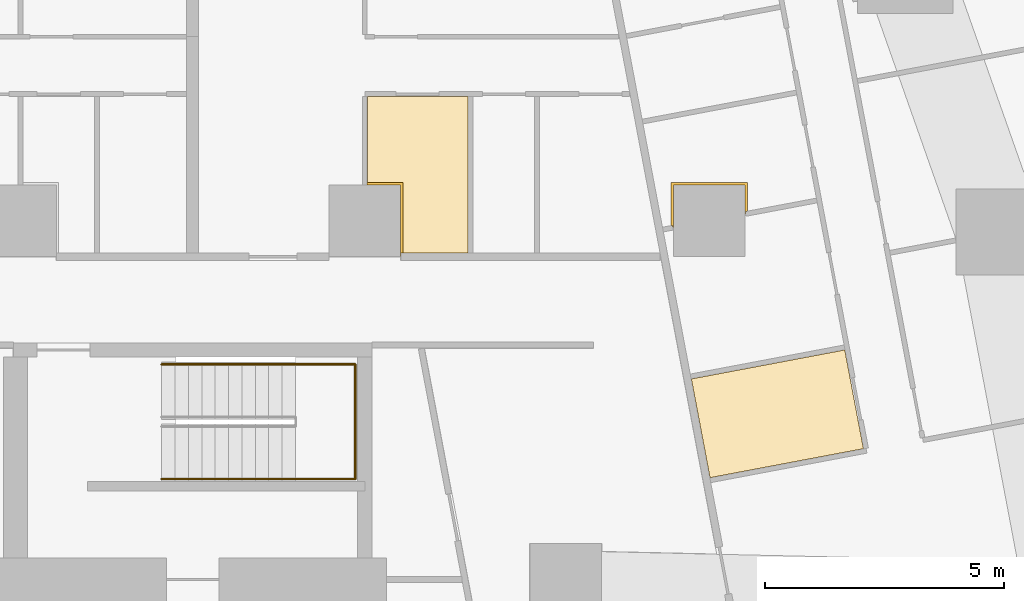
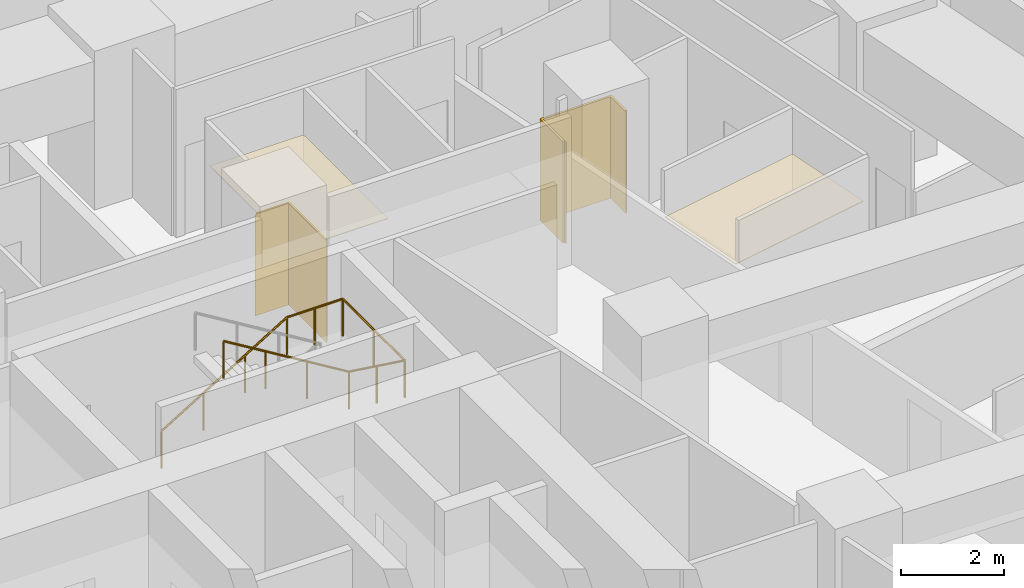
# One storey, part 15 of 15: 4 coverings, 1 railing.
"""IFC4 building model written with IfcOpenShell, lengths in metres."""

from ifc_helpers import new_model, si_unit, direction, frame, origin, origin_2d, place, context, subcontext, project, spatial, polyline, circle, outline, extrude, material, layer, layer_set, type_object, element, save


model = new_model("IFC4")

# Units and contexts
model_context = context("Model", 3, precision=1e-05, world=origin(), true_north=direction((0.0, 1.0)))
body_context = subcontext(model_context, "Body", "Model", "MODEL_VIEW")
ifc_project = project(units=[si_unit("LENGTHUNIT", "METRE"), si_unit("AREAUNIT", "SQUARE_METRE"), si_unit("VOLUMEUNIT", "CUBIC_METRE"), si_unit("PLANEANGLEUNIT", "RADIAN"), si_unit("MASSUNIT", "GRAM", prefix="KILO")], contexts=[model_context])

# Site, building, storey
site_placement = place(None, origin())
site = spatial("IfcSite", under=ifc_project, at=site_placement, CompositionType="ELEMENT")
building_placement = place(site_placement, origin())
building = spatial("IfcBuilding", under=site, at=building_placement, Name="Sheger Commons Tower", CompositionType="ELEMENT")
storey_placement = place(building_placement, frame((0.0, 0.0, 147.050048828125)))
storey = spatial("IfcBuildingStorey", under=building, at=storey_placement, Name="L37", CompositionType="ELEMENT", Elevation=147.050048828125)

# Railing
ifc_material_1 = material(Name="Steel handrail, black powder-coated", Category="steel")
railing_type = type_object("IfcRailingType", Name="HANDRAIL 900", PredefinedType="HANDRAIL", material=ifc_material_1)
railing_placement = place(storey_placement, frame((24.550048828125, 34.5, 0.17041015625)))
element("IfcRailing", 1, at=railing_placement, inside=storey, type_object=railing_type, Name="Stair S2 handrail L37", PredefinedType="HANDRAIL", context=body_context, shape_type="SweptSolid", body=[
    extrude(circle(Radius=0.02392578125, at=origin_2d()), frame((0.0, 0.0, 0.8759765625), z_axis=(0.854169791009, 0.0, 0.51999420009), x_axis=(0.0, 1.0, 0.0)), (0.0, 0.0, 1.0), 3.278076171875),
    extrude(circle(Radius=0.02392578125, at=origin_2d()), frame((2.800048828125, 0.0, 2.58056640625), z_axis=(1.0, 0.0, 0.0), x_axis=(0.0, 1.0, 0.0)), (0.0, 0.0, 1.0), 1.25),
    extrude(circle(Radius=0.02392578125, at=origin_2d()), frame((4.050048828125, 0.0, 2.58056640625), z_axis=(0.0, -1.0, 0.0), x_axis=(1.0, 0.0, 0.0)), (0.0, 0.0, 1.0), 2.39990234375),
    extrude(circle(Radius=0.02392578125, at=origin_2d()), frame((4.050048828125, -2.39990234375, 2.58056640625), z_axis=(-0.990834877927, 0.0, 0.135078661092), x_axis=(0.0, -1.0, 0.0)), (0.0, 0.0, 1.0), 1.261474609375),
    extrude(circle(Radius=0.02392578125, at=origin_2d()), frame((2.800048828125, -2.39990234375, 2.7509765625), z_axis=(-0.854169791009, 0.0, 0.51999420009), x_axis=(0.0, -1.0, 0.0)), (0.0, 0.0, 1.0), 3.278076171875),
    extrude(circle(Radius=0.02099609375, at=origin_2d()), origin(), (0.0, 0.0, 1.0), 0.851806640625),
    extrude(circle(Radius=0.02099609375, at=origin_2d()), frame((0.933349609375, 0.0, 0.568115234375)), (0.0, 0.0, 1.0), 0.851806640625),
    extrude(circle(Radius=0.02099609375, at=origin_2d()), frame((1.86669921875, 0.0, 1.136474609375)), (0.0, 0.0, 1.0), 0.851806640625),
    extrude(circle(Radius=0.02099609375, at=origin_2d()), frame((2.800048828125, 0.0, 1.70458984375)), (0.0, 0.0, 1.0), 0.851806640625),
    extrude(circle(Radius=0.02099609375, at=origin_2d()), frame((3.425048828125, 0.0, 1.70458984375)), (0.0, 0.0, 1.0), 0.851806640625),
    extrude(circle(Radius=0.02099609375, at=origin_2d()), frame((4.050048828125, 0.0, 1.70458984375)), (0.0, 0.0, 1.0), 0.851806640625),
    extrude(circle(Radius=0.02099609375, at=origin_2d()), frame((4.050048828125, -1.199951171875, 1.70458984375)), (0.0, 0.0, 1.0), 0.851806640625),
    extrude(circle(Radius=0.02099609375, at=origin_2d()), frame((4.050048828125, -2.39990234375, 1.70458984375)), (0.0, 0.0, 1.0), 0.851806640625),
    extrude(circle(Radius=0.02099609375, at=origin_2d()), frame((3.425048828125, -2.39990234375, 1.789794921875)), (0.0, 0.0, 1.0), 0.851806640625),
    extrude(circle(Radius=0.02099609375, at=origin_2d()), frame((2.800048828125, -2.39990234375, 1.875)), (0.0, 0.0, 1.0), 0.851806640625),
    extrude(circle(Radius=0.02099609375, at=origin_2d()), frame((1.86669921875, -2.39990234375, 2.443115234375)), (0.0, 0.0, 1.0), 0.851806640625),
    extrude(circle(Radius=0.02099609375, at=origin_2d()), frame((0.933349609375, -2.39990234375, 3.011474609375)), (0.0, 0.0, 1.0), 0.851806640625),
    extrude(circle(Radius=0.02099609375, at=origin_2d()), frame((0.0, -2.39990234375, 3.57958984375)), (0.0, 0.0, 1.0), 0.851806640625),
])

# Coverings
ifc_material_2 = material(Name="Moisture-resistant gypsum plasterboard 15 mm on a suspended galvanised steel grid", Category="steel")
ifc_layer_1 = layer(ifc_material_2, 0.014892578125)
ifc_layer_set_1 = layer_set([ifc_layer_1], Name="MOISTURE-RESISTANT CEILING 15")
covering_type_1 = type_object("IfcCoveringType", Name="MOISTURE-RESISTANT CEILING 15", PredefinedType="CEILING", material=ifc_layer_set_1)
covering_1_placement = place(storey_placement, frame((0.0, 0.0, 2.39990234375)))
element("IfcCovering", 2, at=covering_1_placement, inside=storey, type_object=covering_type_1, Name="L37-07.B1 ceiling", PredefinedType="CEILING", context=body_context, shape_type="SweptSolid", body=[
    extrude(outline(polyline([(36.01708984375, 32.1298828125), (39.22412109375, 32.736083984375), (38.833984375, 34.800048828125), (35.626953125, 34.194091796875), (36.01708984375, 32.1298828125)])), origin(), (0.0, 0.0, 1.0), 0.01513671875),
])
covering_2_placement = place(storey_placement, frame((0.0, 0.0, 2.39990234375)))
element("IfcCovering", 3, at=covering_2_placement, inside=storey, type_object=covering_type_1, Name="L37-12.B1 ceiling", PredefinedType="CEILING", context=body_context, shape_type="SweptSolid", body=[
    extrude(outline(polyline([(29.554931640625, 36.830078125), (30.955078125, 36.830078125), (30.955078125, 40.094970703125), (28.85498046875, 40.094970703125), (28.85498046875, 38.2548828125), (29.554931640625, 38.2548828125), (29.554931640625, 36.830078125)])), origin(), (0.0, 0.0, 1.0), 0.01513671875),
])
ifc_material_3 = material(Name="Moisture-resistant gypsum board 12.5 mm on 25 mm treated timber battens, tanked and tiled", Category="wood")
ifc_layer_2 = layer(ifc_material_3, 0.050048828125)
ifc_layer_set_2 = layer_set([ifc_layer_2], Name="WET-ROOM COLUMN LINING")
covering_type_2 = type_object("IfcCoveringType", Name="WET-ROOM COLUMN LINING", PredefinedType="CLADDING", material=ifc_layer_set_2)
covering_3_placement = place(storey_placement, origin())
element("IfcCovering", 4, at=covering_3_placement, inside=storey, type_object=covering_type_2, Name="Bathroom column lining C10 L37", PredefinedType="CLADDING", context=body_context, shape_type="SweptSolid", body=[
    extrude(outline(polyline([(29.60009765625, 36.824951171875), (29.551025390625, 36.824951171875), (29.551025390625, 36.75), (29.550048828125, 36.75), (29.550048828125, 38.25), (28.800048828125, 38.25), (28.800048828125, 38.2509765625), (28.85009765625, 38.2509765625), (28.85009765625, 38.300048828125), (29.60009765625, 38.300048828125), (29.60009765625, 36.824951171875)])), origin(), (0.0, 0.0, 1.0), 2.39990234375),
])
covering_4_placement = place(storey_placement, origin())
element("IfcCovering", 5, at=covering_4_placement, inside=storey, type_object=covering_type_2, Name="Laundry room column lining C10 L37", PredefinedType="CLADDING", context=body_context, shape_type="SweptSolid", body=[
    extrude(outline(polyline([(36.800048828125, 38.300048828125), (36.800048828125, 37.701904296875), (36.7509765625, 37.693115234375), (36.760009765625, 37.64404296875), (36.75, 37.64208984375), (36.75, 38.25), (35.25, 38.25), (35.25, 37.35791015625), (35.239990234375, 37.35595703125), (35.23095703125, 37.405029296875), (35.199951171875, 37.39892578125), (35.199951171875, 38.300048828125), (36.800048828125, 38.300048828125)])), origin(), (0.0, 0.0, 1.0), 2.39990234375),
])

save(model, "model.ifc")
